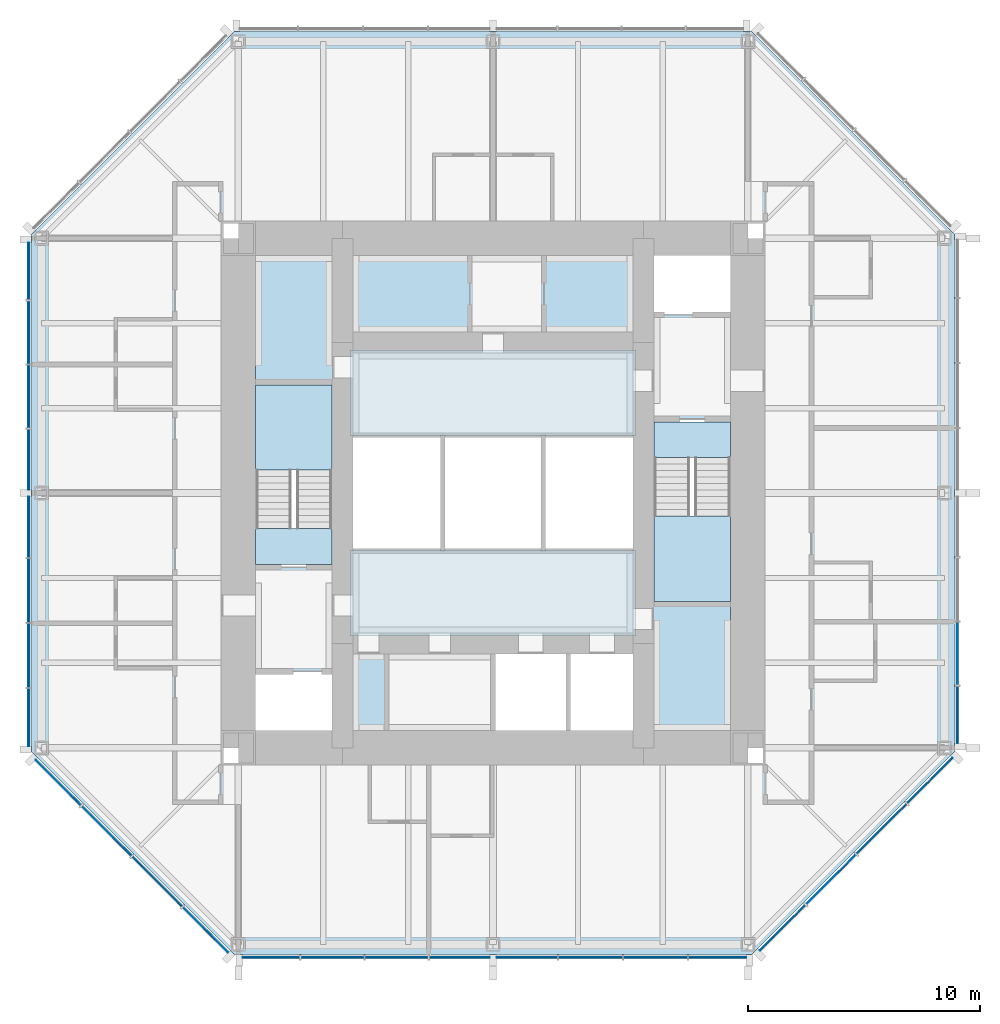
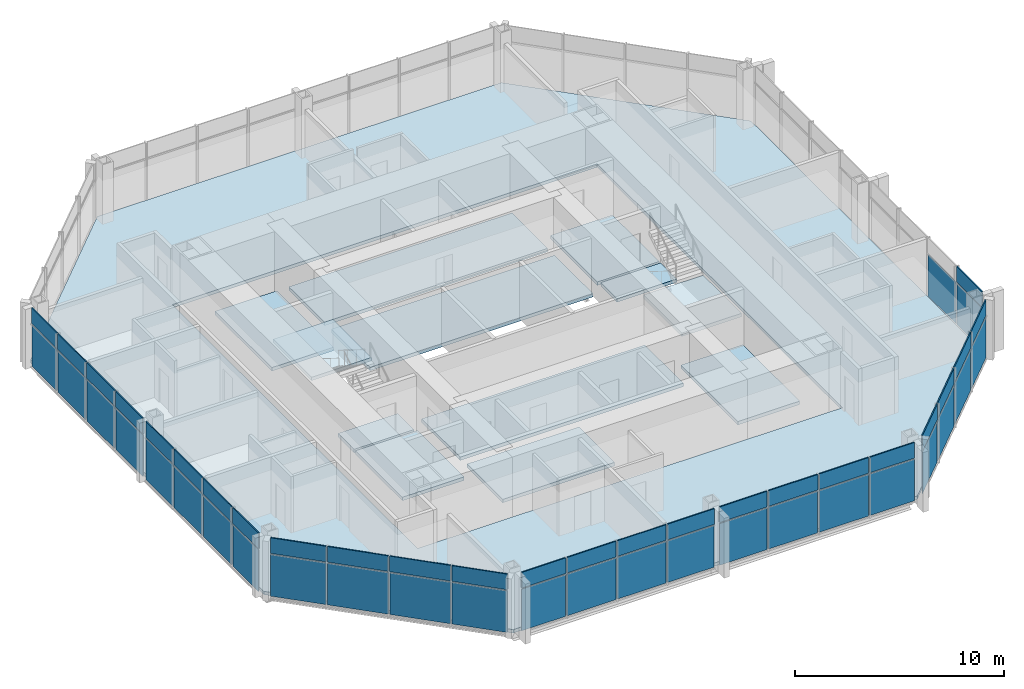
# One storey, part 6 of 11: 51 plates, 13 slabs, 7 elements without a shape of their own.
"""IFC4 building model written with IfcOpenShell, lengths in metres."""

from ifc_helpers import new_model, si_unit, direction, frame, origin, origin_2d, place, context, subcontext, project, spatial, polyline, rectangle, outline, extrude, material, layer, layer_set, type_object, element, aggregate, save


model = new_model("IFC4")

# Units and contexts
model_context = context("Model", 3, precision=1e-05, world=origin(), true_north=direction((0.0, 1.0)))
body_context = subcontext(model_context, "Body", "Model", "MODEL_VIEW")
ifc_project = project(units=[si_unit("LENGTHUNIT", "METRE"), si_unit("AREAUNIT", "SQUARE_METRE"), si_unit("VOLUMEUNIT", "CUBIC_METRE"), si_unit("PLANEANGLEUNIT", "RADIAN"), si_unit("MASSUNIT", "GRAM", prefix="KILO")], contexts=[model_context])

# Site, building, storey
site_placement = place(None, origin())
site = spatial("IfcSite", under=ifc_project, at=site_placement, CompositionType="ELEMENT")
building_placement = place(site_placement, origin())
building = spatial("IfcBuilding", under=site, at=building_placement, Name="Trevanion Tower", CompositionType="ELEMENT")
storey_placement = place(building_placement, frame((0.0, 0.0, 222.199951171875)))
storey = spatial("IfcBuildingStorey", under=building, at=storey_placement, Name="L53", CompositionType="ELEMENT", Elevation=222.199951171875)

# Curtain wall, plate
ifc_material_1 = material(Name="Aluminium and glass", Category="aluminium")
curtain_wall_type = type_object("IfcCurtainWallType", Name="CW3 curtain wall", PredefinedType="USERDEFINED", material=ifc_material_1)
curtain_wall_1_placement = place(storey_placement, origin())
curtain_wall_1 = element("IfcCurtainWall", 1, at=curtain_wall_1_placement, inside=storey, type_object=curtain_wall_type, Name="CW3 L53 0", ObjectType="UNITISED CURTAIN WALL", PredefinedType="USERDEFINED")
ifc_material_2 = material(Name="Aluminium spandrel panel", Category="aluminium")
ifc_layer_1 = layer(ifc_material_2, 0.06005859375)
ifc_layer_set_1 = layer_set([ifc_layer_1], Name="CW3 spandrel panel")
plate_type_1 = type_object("IfcPlateType", Name="CW3 spandrel panel", PredefinedType="CURTAIN_PANEL", material=ifc_layer_set_1)
plate_1_placement = place(storey_placement, frame((20.050048828125, -9.579345703125, 2.3974609375), z_axis=(0.0, 0.0, 1.0), x_axis=(0.0, 1.0, 0.0)))
plate_1 = element("IfcPlate", 2, at=plate_1_placement, type_object=plate_type_1, Name="CW3 panel 1.2", PredefinedType="CURTAIN_PANEL", context=body_context, shape_type="SweptSolid", body=[
    extrude(rectangle(XDim=2.43701171875, YDim=0.06005859375, at=origin_2d()), origin(), (0.0, 0.0, 1.0), 0.91259765625),
])

# Curtain wall, plates
curtain_wall_2_placement = place(storey_placement, origin())
curtain_wall_2 = element("IfcCurtainWall", 3, at=curtain_wall_2_placement, inside=storey, type_object=curtain_wall_type, Name="CW3 L53 4", ObjectType="UNITISED CURTAIN WALL", PredefinedType="USERDEFINED")
plate_2_placement = place(storey_placement, frame((-20.050048828125, 9.579345703125, 2.3974609375), z_axis=(0.0, 0.0, 1.0), x_axis=(0.0, -1.0, 0.0)))
plate_2 = element("IfcPlate", 4, at=plate_2_placement, type_object=plate_type_1, Name="CW3 panel 1.2", PredefinedType="CURTAIN_PANEL", context=body_context, shape_type="SweptSolid", body=[
    extrude(rectangle(XDim=2.43701171875, YDim=0.06005859375, at=origin_2d()), origin(), (0.0, 0.0, 1.0), 0.91259765625),
])
plate_3_placement = place(storey_placement, frame((-20.050048828125, 6.93603515625, 2.3974609375), z_axis=(0.0, 0.0, 1.0), x_axis=(0.0, -1.0, 0.0)))
plate_3 = element("IfcPlate", 5, at=plate_3_placement, type_object=plate_type_1, Name="CW3 panel 2.2", PredefinedType="CURTAIN_PANEL", context=body_context, shape_type="SweptSolid", body=[
    extrude(rectangle(XDim=2.699462890625, YDim=0.06005859375, at=origin_2d()), origin(), (0.0, 0.0, 1.0), 0.91259765625),
])
plate_4_placement = place(storey_placement, frame((-20.050048828125, 4.16162109375, 2.3974609375), z_axis=(0.0, 0.0, 1.0), x_axis=(0.0, -1.0, 0.0)))
plate_4 = element("IfcPlate", 6, at=plate_4_placement, type_object=plate_type_1, Name="CW3 panel 3.2", PredefinedType="CURTAIN_PANEL", context=body_context, shape_type="SweptSolid", body=[
    extrude(rectangle(XDim=2.699462890625, YDim=0.06005859375, at=origin_2d()), origin(), (0.0, 0.0, 1.0), 0.91259765625),
])
plate_5_placement = place(storey_placement, frame((-20.050048828125, 1.443603515625, 2.3974609375), z_axis=(0.0, 0.0, 1.0), x_axis=(0.0, -1.0, 0.0)))
plate_5 = element("IfcPlate", 7, at=plate_5_placement, type_object=plate_type_1, Name="CW3 panel 4.2", PredefinedType="CURTAIN_PANEL", context=body_context, shape_type="SweptSolid", body=[
    extrude(rectangle(XDim=2.5869140625, YDim=0.06005859375, at=origin_2d()), origin(), (0.0, 0.0, 1.0), 0.91259765625),
])
plate_6_placement = place(storey_placement, frame((-20.050048828125, -1.459716796875, 2.3974609375), z_axis=(0.0, 0.0, 1.0), x_axis=(0.0, -1.0, 0.0)))
plate_6 = element("IfcPlate", 8, at=plate_6_placement, type_object=plate_type_1, Name="CW3 panel 5.2", PredefinedType="CURTAIN_PANEL", context=body_context, shape_type="SweptSolid", body=[
    extrude(rectangle(XDim=2.619384765625, YDim=0.06005859375, at=origin_2d()), origin(), (0.0, 0.0, 1.0), 0.91259765625),
])
plate_7_placement = place(storey_placement, frame((-20.050048828125, -4.21044921875, 2.3974609375), z_axis=(0.0, 0.0, 1.0), x_axis=(0.0, -1.0, 0.0)))
plate_7 = element("IfcPlate", 9, at=plate_7_placement, type_object=plate_type_1, Name="CW3 panel 6.2", PredefinedType="CURTAIN_PANEL", context=body_context, shape_type="SweptSolid", body=[
    extrude(rectangle(XDim=2.73193359375, YDim=0.06005859375, at=origin_2d()), origin(), (0.0, 0.0, 1.0), 0.91259765625),
])
plate_8_placement = place(storey_placement, frame((-20.050048828125, -7.017333984375, 2.3974609375), z_axis=(0.0, 0.0, 1.0), x_axis=(0.0, -1.0, 0.0)))
plate_8 = element("IfcPlate", 10, at=plate_8_placement, type_object=plate_type_1, Name="CW3 panel 7.2", PredefinedType="CURTAIN_PANEL", context=body_context, shape_type="SweptSolid", body=[
    extrude(rectangle(XDim=2.73193359375, YDim=0.06005859375, at=origin_2d()), origin(), (0.0, 0.0, 1.0), 0.91259765625),
])
plate_9_placement = place(storey_placement, frame((-20.050048828125, -9.693115234375, 2.3974609375), z_axis=(0.0, 0.0, 1.0), x_axis=(0.0, -1.0, 0.0)))
plate_9 = element("IfcPlate", 11, at=plate_9_placement, type_object=plate_type_1, Name="CW3 panel 8.2", PredefinedType="CURTAIN_PANEL", context=body_context, shape_type="SweptSolid", body=[
    extrude(rectangle(XDim=2.469482421875, YDim=0.06005859375, at=origin_2d()), origin(), (0.0, 0.0, 1.0), 0.91259765625),
])

curtain_wall_3_placement = place(storey_placement, origin())
curtain_wall_3 = element("IfcCurtainWall", 12, at=curtain_wall_3_placement, inside=storey, type_object=curtain_wall_type, Name="CW3 L53 5", ObjectType="UNITISED CURTAIN WALL", PredefinedType="USERDEFINED")
plate_10_placement = place(storey_placement, frame((-18.77392578125, -12.50390625, 2.3974609375), z_axis=(0.0, 0.0, 1.0), x_axis=(0.707106781187, -0.707106781187, 0.0)))
plate_10 = element("IfcPlate", 13, at=plate_10_placement, type_object=plate_type_1, Name="CW3 panel 1.2", PredefinedType="CURTAIN_PANEL", context=body_context, shape_type="SweptSolid", body=[
    extrude(rectangle(XDim=2.7490234375, YDim=0.06005859375, at=origin_2d()), origin(), (0.0, 0.0, 1.0), 0.91259765625),
])
plate_11_placement = place(storey_placement, frame((-16.68408203125, -14.593505859375, 2.3974609375), z_axis=(0.0, 0.0, 1.0), x_axis=(0.707106781187, -0.707106781187, 0.0)))
plate_11 = element("IfcPlate", 14, at=plate_11_placement, type_object=plate_type_1, Name="CW3 panel 2.2", PredefinedType="CURTAIN_PANEL", context=body_context, shape_type="SweptSolid", body=[
    extrude(rectangle(XDim=3.01171875, YDim=0.06005859375, at=origin_2d()), origin(), (0.0, 0.0, 1.0), 0.91259765625),
])
plate_12_placement = place(storey_placement, frame((-14.501708984375, -16.776123046875, 2.3974609375), z_axis=(0.0, 0.0, 1.0), x_axis=(0.707106781187, -0.707106781187, 0.0)))
plate_12 = element("IfcPlate", 15, at=plate_12_placement, type_object=plate_type_1, Name="CW3 panel 3.2", PredefinedType="CURTAIN_PANEL", context=body_context, shape_type="SweptSolid", body=[
    extrude(rectangle(XDim=3.01171875, YDim=0.06005859375, at=origin_2d()), origin(), (0.0, 0.0, 1.0), 0.91259765625),
])
plate_13_placement = place(storey_placement, frame((-12.411865234375, -18.865966796875, 2.3974609375), z_axis=(0.0, 0.0, 1.0), x_axis=(0.707106781187, -0.707106781187, 0.0)))
plate_13 = element("IfcPlate", 16, at=plate_13_placement, type_object=plate_type_1, Name="CW3 panel 4.2", PredefinedType="CURTAIN_PANEL", context=body_context, shape_type="SweptSolid", body=[
    extrude(rectangle(XDim=2.7490234375, YDim=0.06005859375, at=origin_2d()), origin(), (0.0, 0.0, 1.0), 0.91259765625),
])

curtain_wall_4_placement = place(storey_placement, origin())
curtain_wall_4 = element("IfcCurtainWall", 17, at=curtain_wall_4_placement, inside=storey, type_object=curtain_wall_type, Name="CW3 L53 6", ObjectType="UNITISED CURTAIN WALL", PredefinedType="USERDEFINED")
plate_14_placement = place(storey_placement, frame((-9.579345703125, -20.050048828125, 2.3974609375), z_axis=(0.0, 0.0, 1.0), x_axis=(1.0, 0.0, 0.0)))
plate_14 = element("IfcPlate", 18, at=plate_14_placement, type_object=plate_type_1, Name="CW3 panel 1.2", PredefinedType="CURTAIN_PANEL", context=body_context, shape_type="SweptSolid", body=[
    extrude(rectangle(XDim=2.43701171875, YDim=0.06005859375, at=origin_2d()), origin(), (0.0, 0.0, 1.0), 0.91259765625),
])
plate_15_placement = place(storey_placement, frame((-6.93603515625, -20.050048828125, 2.3974609375), z_axis=(0.0, 0.0, 1.0), x_axis=(1.0, 0.0, 0.0)))
plate_15 = element("IfcPlate", 19, at=plate_15_placement, type_object=plate_type_1, Name="CW3 panel 2.2", PredefinedType="CURTAIN_PANEL", context=body_context, shape_type="SweptSolid", body=[
    extrude(rectangle(XDim=2.699462890625, YDim=0.06005859375, at=origin_2d()), origin(), (0.0, 0.0, 1.0), 0.91259765625),
])
plate_16_placement = place(storey_placement, frame((-4.16162109375, -20.050048828125, 2.3974609375), z_axis=(0.0, 0.0, 1.0), x_axis=(1.0, 0.0, 0.0)))
plate_16 = element("IfcPlate", 20, at=plate_16_placement, type_object=plate_type_1, Name="CW3 panel 3.2", PredefinedType="CURTAIN_PANEL", context=body_context, shape_type="SweptSolid", body=[
    extrude(rectangle(XDim=2.699462890625, YDim=0.06005859375, at=origin_2d()), origin(), (0.0, 0.0, 1.0), 0.91259765625),
])
plate_17_placement = place(storey_placement, frame((-1.443603515625, -20.050048828125, 2.3974609375), z_axis=(0.0, 0.0, 1.0), x_axis=(1.0, 0.0, 0.0)))
plate_17 = element("IfcPlate", 21, at=plate_17_placement, type_object=plate_type_1, Name="CW3 panel 4.2", PredefinedType="CURTAIN_PANEL", context=body_context, shape_type="SweptSolid", body=[
    extrude(rectangle(XDim=2.5869140625, YDim=0.06005859375, at=origin_2d()), origin(), (0.0, 0.0, 1.0), 0.91259765625),
])
plate_18_placement = place(storey_placement, frame((1.459716796875, -20.050048828125, 2.3974609375), z_axis=(0.0, 0.0, 1.0), x_axis=(1.0, 0.0, 0.0)))
plate_18 = element("IfcPlate", 22, at=plate_18_placement, type_object=plate_type_1, Name="CW3 panel 5.2", PredefinedType="CURTAIN_PANEL", context=body_context, shape_type="SweptSolid", body=[
    extrude(rectangle(XDim=2.619384765625, YDim=0.06005859375, at=origin_2d()), origin(), (0.0, 0.0, 1.0), 0.91259765625),
])
plate_19_placement = place(storey_placement, frame((4.21044921875, -20.050048828125, 2.3974609375), z_axis=(0.0, 0.0, 1.0), x_axis=(1.0, 0.0, 0.0)))
plate_19 = element("IfcPlate", 23, at=plate_19_placement, type_object=plate_type_1, Name="CW3 panel 6.2", PredefinedType="CURTAIN_PANEL", context=body_context, shape_type="SweptSolid", body=[
    extrude(rectangle(XDim=2.73193359375, YDim=0.06005859375, at=origin_2d()), origin(), (0.0, 0.0, 1.0), 0.91259765625),
])
plate_20_placement = place(storey_placement, frame((7.017333984375, -20.050048828125, 2.3974609375), z_axis=(0.0, 0.0, 1.0), x_axis=(1.0, 0.0, 0.0)))
plate_20 = element("IfcPlate", 24, at=plate_20_placement, type_object=plate_type_1, Name="CW3 panel 7.2", PredefinedType="CURTAIN_PANEL", context=body_context, shape_type="SweptSolid", body=[
    extrude(rectangle(XDim=2.73193359375, YDim=0.06005859375, at=origin_2d()), origin(), (0.0, 0.0, 1.0), 0.91259765625),
])
plate_21_placement = place(storey_placement, frame((9.693115234375, -20.050048828125, 2.3974609375), z_axis=(0.0, 0.0, 1.0), x_axis=(1.0, 0.0, 0.0)))
plate_21 = element("IfcPlate", 25, at=plate_21_placement, type_object=plate_type_1, Name="CW3 panel 8.2", PredefinedType="CURTAIN_PANEL", context=body_context, shape_type="SweptSolid", body=[
    extrude(rectangle(XDim=2.469482421875, YDim=0.06005859375, at=origin_2d()), origin(), (0.0, 0.0, 1.0), 0.91259765625),
])

curtain_wall_5_placement = place(storey_placement, origin())
curtain_wall_5 = element("IfcCurtainWall", 26, at=curtain_wall_5_placement, inside=storey, type_object=curtain_wall_type, Name="CW3 L53 7", ObjectType="UNITISED CURTAIN WALL", PredefinedType="USERDEFINED")
plate_22_placement = place(storey_placement, frame((12.50390625, -18.77392578125, 2.3974609375), z_axis=(0.0, 0.0, 1.0), x_axis=(0.707106781187, 0.707106781187, 0.0)))
plate_22 = element("IfcPlate", 27, at=plate_22_placement, type_object=plate_type_1, Name="CW3 panel 1.2", PredefinedType="CURTAIN_PANEL", context=body_context, shape_type="SweptSolid", body=[
    extrude(rectangle(XDim=2.7490234375, YDim=0.06005859375, at=origin_2d()), origin(), (0.0, 0.0, 1.0), 0.91259765625),
])
plate_23_placement = place(storey_placement, frame((14.593505859375, -16.68408203125, 2.3974609375), z_axis=(0.0, 0.0, 1.0), x_axis=(0.707106781187, 0.707106781187, 0.0)))
plate_23 = element("IfcPlate", 28, at=plate_23_placement, type_object=plate_type_1, Name="CW3 panel 2.2", PredefinedType="CURTAIN_PANEL", context=body_context, shape_type="SweptSolid", body=[
    extrude(rectangle(XDim=3.01171875, YDim=0.06005859375, at=origin_2d()), origin(), (0.0, 0.0, 1.0), 0.91259765625),
])
plate_24_placement = place(storey_placement, frame((16.776123046875, -14.501708984375, 2.3974609375), z_axis=(0.0, 0.0, 1.0), x_axis=(0.707106781187, 0.707106781187, 0.0)))
plate_24 = element("IfcPlate", 29, at=plate_24_placement, type_object=plate_type_1, Name="CW3 panel 3.2", PredefinedType="CURTAIN_PANEL", context=body_context, shape_type="SweptSolid", body=[
    extrude(rectangle(XDim=3.01171875, YDim=0.06005859375, at=origin_2d()), origin(), (0.0, 0.0, 1.0), 0.91259765625),
])
plate_25_placement = place(storey_placement, frame((18.865966796875, -12.411865234375, 2.3974609375), z_axis=(0.0, 0.0, 1.0), x_axis=(0.707106781187, 0.707106781187, 0.0)))
plate_25 = element("IfcPlate", 30, at=plate_25_placement, type_object=plate_type_1, Name="CW3 panel 4.2", PredefinedType="CURTAIN_PANEL", context=body_context, shape_type="SweptSolid", body=[
    extrude(rectangle(XDim=2.7490234375, YDim=0.06005859375, at=origin_2d()), origin(), (0.0, 0.0, 1.0), 0.91259765625),
])

# Plate
ifc_material_3 = material(Name="Insulating glass unit", Category="glass")
ifc_layer_2 = layer(ifc_material_3, 0.028076171875)
ifc_layer_set_2 = layer_set([ifc_layer_2], Name="CW3 vision panel")
plate_type_2 = type_object("IfcPlateType", Name="CW3 vision panel", PredefinedType="CURTAIN_PANEL", material=ifc_layer_set_2)
plate_26_placement = place(storey_placement, frame((20.050048828125, -9.579345703125, -0.114990234375), z_axis=(0.0, 0.0, 1.0), x_axis=(0.0, 1.0, 0.0)))
plate_26 = element("IfcPlate", 31, at=plate_26_placement, type_object=plate_type_2, Name="CW3 panel 1.1", PredefinedType="CURTAIN_PANEL", context=body_context, shape_type="SweptSolid", body=[
    extrude(rectangle(XDim=2.43701171875, YDim=0.028076171875, at=origin_2d()), origin(), (0.0, 0.0, 1.0), 2.4375),
])

plate_27_placement = place(storey_placement, frame((20.050048828125, -6.93603515625, -0.114990234375), z_axis=(0.0, 0.0, 1.0), x_axis=(0.0, 1.0, 0.0)))
plate_27 = element("IfcPlate", 32, at=plate_27_placement, type_object=plate_type_2, Name="CW3 panel 2.1", PredefinedType="CURTAIN_PANEL", context=body_context, shape_type="SweptSolid", body=[
    extrude(rectangle(XDim=2.699462890625, YDim=0.028076171875, at=origin_2d()), origin(), (0.0, 0.0, 1.0), 2.4375),
])

aggregate(curtain_wall_1, [plate_26, plate_1, plate_27])

plate_28_placement = place(storey_placement, frame((-20.050048828125, 9.579345703125, -0.114990234375), z_axis=(0.0, 0.0, 1.0), x_axis=(0.0, -1.0, 0.0)))
plate_28 = element("IfcPlate", 33, at=plate_28_placement, type_object=plate_type_2, Name="CW3 panel 1.1", PredefinedType="CURTAIN_PANEL", context=body_context, shape_type="SweptSolid", body=[
    extrude(rectangle(XDim=2.43701171875, YDim=0.028076171875, at=origin_2d()), origin(), (0.0, 0.0, 1.0), 2.4375),
])

plate_29_placement = place(storey_placement, frame((-20.050048828125, 6.93603515625, -0.114990234375), z_axis=(0.0, 0.0, 1.0), x_axis=(0.0, -1.0, 0.0)))
plate_29 = element("IfcPlate", 34, at=plate_29_placement, type_object=plate_type_2, Name="CW3 panel 2.1", PredefinedType="CURTAIN_PANEL", context=body_context, shape_type="SweptSolid", body=[
    extrude(rectangle(XDim=2.699462890625, YDim=0.028076171875, at=origin_2d()), origin(), (0.0, 0.0, 1.0), 2.4375),
])

plate_30_placement = place(storey_placement, frame((-20.050048828125, 4.16162109375, -0.114990234375), z_axis=(0.0, 0.0, 1.0), x_axis=(0.0, -1.0, 0.0)))
plate_30 = element("IfcPlate", 35, at=plate_30_placement, type_object=plate_type_2, Name="CW3 panel 3.1", PredefinedType="CURTAIN_PANEL", context=body_context, shape_type="SweptSolid", body=[
    extrude(rectangle(XDim=2.699462890625, YDim=0.028076171875, at=origin_2d()), origin(), (0.0, 0.0, 1.0), 2.4375),
])

plate_31_placement = place(storey_placement, frame((-20.050048828125, 1.443603515625, -0.114990234375), z_axis=(0.0, 0.0, 1.0), x_axis=(0.0, -1.0, 0.0)))
plate_31 = element("IfcPlate", 36, at=plate_31_placement, type_object=plate_type_2, Name="CW3 panel 4.1", PredefinedType="CURTAIN_PANEL", context=body_context, shape_type="SweptSolid", body=[
    extrude(rectangle(XDim=2.5869140625, YDim=0.028076171875, at=origin_2d()), origin(), (0.0, 0.0, 1.0), 2.4375),
])

plate_32_placement = place(storey_placement, frame((-20.050048828125, -1.459716796875, -0.114990234375), z_axis=(0.0, 0.0, 1.0), x_axis=(0.0, -1.0, 0.0)))
plate_32 = element("IfcPlate", 37, at=plate_32_placement, type_object=plate_type_2, Name="CW3 panel 5.1", PredefinedType="CURTAIN_PANEL", context=body_context, shape_type="SweptSolid", body=[
    extrude(rectangle(XDim=2.619384765625, YDim=0.028076171875, at=origin_2d()), origin(), (0.0, 0.0, 1.0), 2.4375),
])

plate_33_placement = place(storey_placement, frame((-20.050048828125, -4.21044921875, -0.114990234375), z_axis=(0.0, 0.0, 1.0), x_axis=(0.0, -1.0, 0.0)))
plate_33 = element("IfcPlate", 38, at=plate_33_placement, type_object=plate_type_2, Name="CW3 panel 6.1", PredefinedType="CURTAIN_PANEL", context=body_context, shape_type="SweptSolid", body=[
    extrude(rectangle(XDim=2.73193359375, YDim=0.028076171875, at=origin_2d()), origin(), (0.0, 0.0, 1.0), 2.4375),
])

plate_34_placement = place(storey_placement, frame((-20.050048828125, -7.017333984375, -0.114990234375), z_axis=(0.0, 0.0, 1.0), x_axis=(0.0, -1.0, 0.0)))
plate_34 = element("IfcPlate", 39, at=plate_34_placement, type_object=plate_type_2, Name="CW3 panel 7.1", PredefinedType="CURTAIN_PANEL", context=body_context, shape_type="SweptSolid", body=[
    extrude(rectangle(XDim=2.73193359375, YDim=0.028076171875, at=origin_2d()), origin(), (0.0, 0.0, 1.0), 2.4375),
])

plate_35_placement = place(storey_placement, frame((-20.050048828125, -9.693115234375, -0.114990234375), z_axis=(0.0, 0.0, 1.0), x_axis=(0.0, -1.0, 0.0)))
plate_35 = element("IfcPlate", 40, at=plate_35_placement, type_object=plate_type_2, Name="CW3 panel 8.1", PredefinedType="CURTAIN_PANEL", context=body_context, shape_type="SweptSolid", body=[
    extrude(rectangle(XDim=2.469482421875, YDim=0.028076171875, at=origin_2d()), origin(), (0.0, 0.0, 1.0), 2.4375),
])

aggregate(curtain_wall_2, [plate_28, plate_2, plate_29, plate_3, plate_30, plate_4, plate_31, plate_5, plate_32, plate_6, plate_33, plate_7, plate_34, plate_8, plate_35, plate_9])

plate_36_placement = place(storey_placement, frame((-18.77392578125, -12.50390625, -0.114990234375), z_axis=(0.0, 0.0, 1.0), x_axis=(0.707106781187, -0.707106781187, 0.0)))
plate_36 = element("IfcPlate", 41, at=plate_36_placement, type_object=plate_type_2, Name="CW3 panel 1.1", PredefinedType="CURTAIN_PANEL", context=body_context, shape_type="SweptSolid", body=[
    extrude(rectangle(XDim=2.7490234375, YDim=0.028076171875, at=origin_2d()), origin(), (0.0, 0.0, 1.0), 2.4375),
])

plate_37_placement = place(storey_placement, frame((-16.68408203125, -14.593505859375, -0.114990234375), z_axis=(0.0, 0.0, 1.0), x_axis=(0.707106781187, -0.707106781187, 0.0)))
plate_37 = element("IfcPlate", 42, at=plate_37_placement, type_object=plate_type_2, Name="CW3 panel 2.1", PredefinedType="CURTAIN_PANEL", context=body_context, shape_type="SweptSolid", body=[
    extrude(rectangle(XDim=3.01171875, YDim=0.028076171875, at=origin_2d()), origin(), (0.0, 0.0, 1.0), 2.4375),
])

plate_38_placement = place(storey_placement, frame((-14.501708984375, -16.776123046875, -0.114990234375), z_axis=(0.0, 0.0, 1.0), x_axis=(0.707106781187, -0.707106781187, 0.0)))
plate_38 = element("IfcPlate", 43, at=plate_38_placement, type_object=plate_type_2, Name="CW3 panel 3.1", PredefinedType="CURTAIN_PANEL", context=body_context, shape_type="SweptSolid", body=[
    extrude(rectangle(XDim=3.01171875, YDim=0.028076171875, at=origin_2d()), origin(), (0.0, 0.0, 1.0), 2.4375),
])

plate_39_placement = place(storey_placement, frame((-12.411865234375, -18.865966796875, -0.114990234375), z_axis=(0.0, 0.0, 1.0), x_axis=(0.707106781187, -0.707106781187, 0.0)))
plate_39 = element("IfcPlate", 44, at=plate_39_placement, type_object=plate_type_2, Name="CW3 panel 4.1", PredefinedType="CURTAIN_PANEL", context=body_context, shape_type="SweptSolid", body=[
    extrude(rectangle(XDim=2.7490234375, YDim=0.028076171875, at=origin_2d()), origin(), (0.0, 0.0, 1.0), 2.4375),
])

aggregate(curtain_wall_3, [plate_36, plate_10, plate_37, plate_11, plate_38, plate_12, plate_39, plate_13])

plate_40_placement = place(storey_placement, frame((-9.579345703125, -20.050048828125, -0.114990234375), z_axis=(0.0, 0.0, 1.0), x_axis=(1.0, 0.0, 0.0)))
plate_40 = element("IfcPlate", 45, at=plate_40_placement, type_object=plate_type_2, Name="CW3 panel 1.1", PredefinedType="CURTAIN_PANEL", context=body_context, shape_type="SweptSolid", body=[
    extrude(rectangle(XDim=2.43701171875, YDim=0.028076171875, at=origin_2d()), origin(), (0.0, 0.0, 1.0), 2.4375),
])

plate_41_placement = place(storey_placement, frame((-6.93603515625, -20.050048828125, -0.114990234375), z_axis=(0.0, 0.0, 1.0), x_axis=(1.0, 0.0, 0.0)))
plate_41 = element("IfcPlate", 46, at=plate_41_placement, type_object=plate_type_2, Name="CW3 panel 2.1", PredefinedType="CURTAIN_PANEL", context=body_context, shape_type="SweptSolid", body=[
    extrude(rectangle(XDim=2.699462890625, YDim=0.028076171875, at=origin_2d()), origin(), (0.0, 0.0, 1.0), 2.4375),
])

plate_42_placement = place(storey_placement, frame((-4.16162109375, -20.050048828125, -0.114990234375), z_axis=(0.0, 0.0, 1.0), x_axis=(1.0, 0.0, 0.0)))
plate_42 = element("IfcPlate", 47, at=plate_42_placement, type_object=plate_type_2, Name="CW3 panel 3.1", PredefinedType="CURTAIN_PANEL", context=body_context, shape_type="SweptSolid", body=[
    extrude(rectangle(XDim=2.699462890625, YDim=0.028076171875, at=origin_2d()), origin(), (0.0, 0.0, 1.0), 2.4375),
])

plate_43_placement = place(storey_placement, frame((-1.443603515625, -20.050048828125, -0.114990234375), z_axis=(0.0, 0.0, 1.0), x_axis=(1.0, 0.0, 0.0)))
plate_43 = element("IfcPlate", 48, at=plate_43_placement, type_object=plate_type_2, Name="CW3 panel 4.1", PredefinedType="CURTAIN_PANEL", context=body_context, shape_type="SweptSolid", body=[
    extrude(rectangle(XDim=2.5869140625, YDim=0.028076171875, at=origin_2d()), origin(), (0.0, 0.0, 1.0), 2.4375),
])

plate_44_placement = place(storey_placement, frame((1.459716796875, -20.050048828125, -0.114990234375), z_axis=(0.0, 0.0, 1.0), x_axis=(1.0, 0.0, 0.0)))
plate_44 = element("IfcPlate", 49, at=plate_44_placement, type_object=plate_type_2, Name="CW3 panel 5.1", PredefinedType="CURTAIN_PANEL", context=body_context, shape_type="SweptSolid", body=[
    extrude(rectangle(XDim=2.619384765625, YDim=0.028076171875, at=origin_2d()), origin(), (0.0, 0.0, 1.0), 2.4375),
])

plate_45_placement = place(storey_placement, frame((4.21044921875, -20.050048828125, -0.114990234375), z_axis=(0.0, 0.0, 1.0), x_axis=(1.0, 0.0, 0.0)))
plate_45 = element("IfcPlate", 50, at=plate_45_placement, type_object=plate_type_2, Name="CW3 panel 6.1", PredefinedType="CURTAIN_PANEL", context=body_context, shape_type="SweptSolid", body=[
    extrude(rectangle(XDim=2.73193359375, YDim=0.028076171875, at=origin_2d()), origin(), (0.0, 0.0, 1.0), 2.4375),
])

plate_46_placement = place(storey_placement, frame((7.017333984375, -20.050048828125, -0.114990234375), z_axis=(0.0, 0.0, 1.0), x_axis=(1.0, 0.0, 0.0)))
plate_46 = element("IfcPlate", 51, at=plate_46_placement, type_object=plate_type_2, Name="CW3 panel 7.1", PredefinedType="CURTAIN_PANEL", context=body_context, shape_type="SweptSolid", body=[
    extrude(rectangle(XDim=2.73193359375, YDim=0.028076171875, at=origin_2d()), origin(), (0.0, 0.0, 1.0), 2.4375),
])

plate_47_placement = place(storey_placement, frame((9.693115234375, -20.050048828125, -0.114990234375), z_axis=(0.0, 0.0, 1.0), x_axis=(1.0, 0.0, 0.0)))
plate_47 = element("IfcPlate", 52, at=plate_47_placement, type_object=plate_type_2, Name="CW3 panel 8.1", PredefinedType="CURTAIN_PANEL", context=body_context, shape_type="SweptSolid", body=[
    extrude(rectangle(XDim=2.469482421875, YDim=0.028076171875, at=origin_2d()), origin(), (0.0, 0.0, 1.0), 2.4375),
])

aggregate(curtain_wall_4, [plate_40, plate_14, plate_41, plate_15, plate_42, plate_16, plate_43, plate_17, plate_44, plate_18, plate_45, plate_19, plate_46, plate_20, plate_47, plate_21])

plate_48_placement = place(storey_placement, frame((12.50390625, -18.77392578125, -0.114990234375), z_axis=(0.0, 0.0, 1.0), x_axis=(0.707106781187, 0.707106781187, 0.0)))
plate_48 = element("IfcPlate", 53, at=plate_48_placement, type_object=plate_type_2, Name="CW3 panel 1.1", PredefinedType="CURTAIN_PANEL", context=body_context, shape_type="SweptSolid", body=[
    extrude(rectangle(XDim=2.7490234375, YDim=0.028076171875, at=origin_2d()), origin(), (0.0, 0.0, 1.0), 2.4375),
])

plate_49_placement = place(storey_placement, frame((14.593505859375, -16.68408203125, -0.114990234375), z_axis=(0.0, 0.0, 1.0), x_axis=(0.707106781187, 0.707106781187, 0.0)))
plate_49 = element("IfcPlate", 54, at=plate_49_placement, type_object=plate_type_2, Name="CW3 panel 2.1", PredefinedType="CURTAIN_PANEL", context=body_context, shape_type="SweptSolid", body=[
    extrude(rectangle(XDim=3.01171875, YDim=0.028076171875, at=origin_2d()), origin(), (0.0, 0.0, 1.0), 2.4375),
])

plate_50_placement = place(storey_placement, frame((16.776123046875, -14.501708984375, -0.114990234375), z_axis=(0.0, 0.0, 1.0), x_axis=(0.707106781187, 0.707106781187, 0.0)))
plate_50 = element("IfcPlate", 55, at=plate_50_placement, type_object=plate_type_2, Name="CW3 panel 3.1", PredefinedType="CURTAIN_PANEL", context=body_context, shape_type="SweptSolid", body=[
    extrude(rectangle(XDim=3.01171875, YDim=0.028076171875, at=origin_2d()), origin(), (0.0, 0.0, 1.0), 2.4375),
])

plate_51_placement = place(storey_placement, frame((18.865966796875, -12.411865234375, -0.114990234375), z_axis=(0.0, 0.0, 1.0), x_axis=(0.707106781187, 0.707106781187, 0.0)))
plate_51 = element("IfcPlate", 56, at=plate_51_placement, type_object=plate_type_2, Name="CW3 panel 4.1", PredefinedType="CURTAIN_PANEL", context=body_context, shape_type="SweptSolid", body=[
    extrude(rectangle(XDim=2.7490234375, YDim=0.028076171875, at=origin_2d()), origin(), (0.0, 0.0, 1.0), 2.4375),
])

aggregate(curtain_wall_5, [plate_48, plate_22, plate_49, plate_23, plate_50, plate_24, plate_51, plate_25])

# Slabs
ifc_material_4 = material(Name="Concrete 5,000 psi on composite metal deck", Category="concrete")
ifc_layer_3 = layer(ifc_material_4, 0.18994140625)
ifc_layer_set_3 = layer_set([ifc_layer_3], Name="SL1 composite floor 190")
slab_type_1 = type_object("IfcSlabType", Name="SL1 composite floor 190", PredefinedType="FLOOR", material=ifc_layer_set_3)
slab_1_placement = place(storey_placement, frame((0.0, 0.0, -0.18994140625)))
element("IfcSlab", 57, at=slab_1_placement, inside=storey, type_object=slab_type_1, Name="SL1 L53 floor", PredefinedType="FLOOR", context=body_context, shape_type="SweptSolid", body=[
    extrude(outline(polyline([(19.919921875, -11.174072265625), (19.919921875, 11.174072265625), (11.174072265625, 19.919921875), (-11.174072265625, 19.919921875), (-19.919921875, 11.174072265625), (-19.919921875, -11.174072265625), (-11.174072265625, -19.919921875), (11.174072265625, -19.919921875), (19.919921875, -11.174072265625)]), holes=[polyline([(11.75, -11.75), (11.75, 11.75), (-11.75, 11.75), (-11.75, -11.75), (11.75, -11.75)])]), origin(), (0.0, 0.0, 1.0), 0.18994140625),
])
ifc_material_5 = material(Name="Concrete 5,000 psi", Category="concrete")
ifc_layer_4 = layer(ifc_material_5, 0.199951171875)
ifc_layer_set_4 = layer_set([ifc_layer_4], Name="SL2 core floor 200")
slab_type_2 = type_object("IfcSlabType", Name="SL2 core floor 200", PredefinedType="FLOOR", material=ifc_layer_set_4)
slab_2_placement = place(storey_placement, frame((0.0, 0.0, -0.199951171875)))
element("IfcSlab", 58, at=slab_2_placement, inside=storey, type_object=slab_type_2, Name="SL2 L53 core floor 1", PredefinedType="FLOOR", context=body_context, shape_type="SweptSolid", body=[
    extrude(outline(polyline([(0.02001953125, -10.25), (-6.169921875, -10.25), (-6.169921875, -6.830078125), (0.02001953125, -6.830078125), (0.02001953125, -10.25)])), origin(), (0.0, 0.0, 1.0), 0.199951171875),
])
slab_3_placement = place(storey_placement, frame((0.0, 0.0, -0.199951171875)))
element("IfcSlab", 59, at=slab_3_placement, inside=storey, type_object=slab_type_2, Name="SL2 L53 core floor 2", PredefinedType="FLOOR", context=body_context, shape_type="SweptSolid", body=[
    extrude(outline(polyline([(6.830078125, -4.804931640625), (10.25, -4.804931640625), (10.25, -10.25), (6.830078125, -10.25), (6.830078125, -4.804931640625)])), origin(), (0.0, 0.0, 1.0), 0.199951171875),
])
slab_4_placement = place(storey_placement, frame((0.0, 0.0, -0.199951171875)))
element("IfcSlab", 60, at=slab_4_placement, inside=storey, type_object=slab_type_2, Name="SL2 L53 core floor 3", PredefinedType="FLOOR", context=body_context, shape_type="SweptSolid", body=[
    extrude(outline(polyline([(-6.830078125, -3.205078125), (-6.830078125, -7.695068359375), (-10.25, -7.695068359375), (-10.25, -3.205078125), (-6.830078125, -3.205078125)])), origin(), (0.0, 0.0, 1.0), 0.199951171875),
])
slab_5_placement = place(storey_placement, frame((0.0, 0.0, -0.199951171875)))
element("IfcSlab", 61, at=slab_5_placement, inside=storey, type_object=slab_type_2, Name="SL2 L53 core floor 4", PredefinedType="FLOOR", context=body_context, shape_type="SweptSolid", body=[
    extrude(outline(polyline([(6.169921875, -6.169921875), (-6.169921875, -6.169921875), (-6.169921875, -2.47998046875), (6.169921875, -2.47998046875), (6.169921875, -6.169921875)])), origin(), (0.0, 0.0, 1.0), 0.199951171875),
])
slab_6_placement = place(storey_placement, frame((0.0, 0.0, -0.199951171875)))
element("IfcSlab", 62, at=slab_6_placement, inside=storey, type_object=slab_type_2, Name="SL2 L53 core floor 5", PredefinedType="FLOOR", context=body_context, shape_type="SweptSolid", body=[
    extrude(outline(polyline([(6.169921875, 2.47998046875), (-6.169921875, 2.47998046875), (-6.169921875, 6.169921875), (6.169921875, 6.169921875), (6.169921875, 2.47998046875)])), origin(), (0.0, 0.0, 1.0), 0.199951171875),
])
slab_7_placement = place(storey_placement, frame((0.0, 0.0, -0.199951171875)))
element("IfcSlab", 63, at=slab_7_placement, inside=storey, type_object=slab_type_2, Name="SL2 L53 core floor 6", PredefinedType="FLOOR", context=body_context, shape_type="SweptSolid", body=[
    extrude(outline(polyline([(6.830078125, 3.205078125), (6.830078125, 7.695068359375), (10.25, 7.695068359375), (10.25, 3.205078125), (6.830078125, 3.205078125)])), origin(), (0.0, 0.0, 1.0), 0.199951171875),
])
slab_8_placement = place(storey_placement, frame((0.0, 0.0, -0.199951171875)))
element("IfcSlab", 64, at=slab_8_placement, inside=storey, type_object=slab_type_2, Name="SL2 L53 core floor 7", PredefinedType="FLOOR", context=body_context, shape_type="SweptSolid", body=[
    extrude(outline(polyline([(-6.830078125, 4.804931640625), (-10.25, 4.804931640625), (-10.25, 10.25), (-6.830078125, 10.25), (-6.830078125, 4.804931640625)])), origin(), (0.0, 0.0, 1.0), 0.199951171875),
])
slab_9_placement = place(storey_placement, frame((0.0, 0.0, -0.199951171875)))
element("IfcSlab", 65, at=slab_9_placement, inside=storey, type_object=slab_type_2, Name="SL2 L53 core floor 8", PredefinedType="FLOOR", context=body_context, shape_type="SweptSolid", body=[
    extrude(outline(polyline([(6.169921875, 6.830078125), (-6.169921875, 6.830078125), (-6.169921875, 10.25), (6.169921875, 10.25), (6.169921875, 6.830078125)])), origin(), (0.0, 0.0, 1.0), 0.199951171875),
])

# Stair, slabs
ifc_material_6 = material(Name="Concrete 5,000 psi on steel stringers", Category="concrete")
stair_type = type_object("IfcStairType", Name="ST stair", PredefinedType="HALF_TURN_STAIR", material=ifc_material_6)
stair_1_placement = place(storey_placement, origin())
stair_1 = element("IfcStair", 66, at=stair_1_placement, inside=storey, type_object=stair_type, Name="ST1 L53", PredefinedType="HALF_TURN_STAIR")
ifc_material_7 = material(Name="Concrete 5,000 psi in steel pan", Category="concrete")
ifc_layer_5 = layer(ifc_material_7, 0.199951171875)
ifc_layer_set_5 = layer_set([ifc_layer_5], Name="STL stair landing 200")
slab_type_3 = type_object("IfcSlabType", Name="STL stair landing 200", PredefinedType="LANDING", material=ifc_layer_set_5)
slab_10_placement = place(storey_placement, frame((0.0, 0.0, -0.199951171875)))
slab_10 = element("IfcSlab", 67, at=slab_10_placement, type_object=slab_type_3, Name="ST1 landing 1", PredefinedType="LANDING", context=body_context, shape_type="SweptSolid", body=[
    extrude(outline(polyline([(6.949951171875, 1.52490234375), (10.25, 1.52490234375), (10.25, 3.074951171875), (6.949951171875, 3.074951171875), (6.949951171875, 1.52490234375)])), origin(), (0.0, 0.0, 1.0), 0.199951171875),
])
slab_11_placement = place(storey_placement, frame((0.0, 0.0, 1.550048828125)))
slab_11 = element("IfcSlab", 68, at=slab_11_placement, type_object=slab_type_3, Name="ST1 landing 2", PredefinedType="LANDING", context=body_context, shape_type="SweptSolid", body=[
    extrude(outline(polyline([(6.949951171875, -4.675048828125), (10.25, -4.675048828125), (10.25, -0.9951171875), (6.949951171875, -0.9951171875), (6.949951171875, -4.675048828125)])), origin(), (0.0, 0.0, 1.0), 0.199951171875),
])
aggregate(stair_1, [slab_10, slab_11])

stair_2_placement = place(storey_placement, origin())
stair_2 = element("IfcStair", 69, at=stair_2_placement, inside=storey, type_object=stair_type, Name="ST2 L53", PredefinedType="HALF_TURN_STAIR")
slab_12_placement = place(storey_placement, frame((0.0, 0.0, -0.199951171875)))
slab_12 = element("IfcSlab", 70, at=slab_12_placement, type_object=slab_type_3, Name="ST2 landing 1", PredefinedType="LANDING", context=body_context, shape_type="SweptSolid", body=[
    extrude(outline(polyline([(-6.949951171875, -1.52490234375), (-10.25, -1.52490234375), (-10.25, -3.074951171875), (-6.949951171875, -3.074951171875), (-6.949951171875, -1.52490234375)])), origin(), (0.0, 0.0, 1.0), 0.199951171875),
])
slab_13_placement = place(storey_placement, frame((0.0, 0.0, 1.550048828125)))
slab_13 = element("IfcSlab", 71, at=slab_13_placement, type_object=slab_type_3, Name="ST2 landing 2", PredefinedType="LANDING", context=body_context, shape_type="SweptSolid", body=[
    extrude(outline(polyline([(-6.949951171875, 4.675048828125), (-10.25, 4.675048828125), (-10.25, 0.9951171875), (-6.949951171875, 0.9951171875), (-6.949951171875, 4.675048828125)])), origin(), (0.0, 0.0, 1.0), 0.199951171875),
])
aggregate(stair_2, [slab_12, slab_13])

save(model, "model.ifc")
